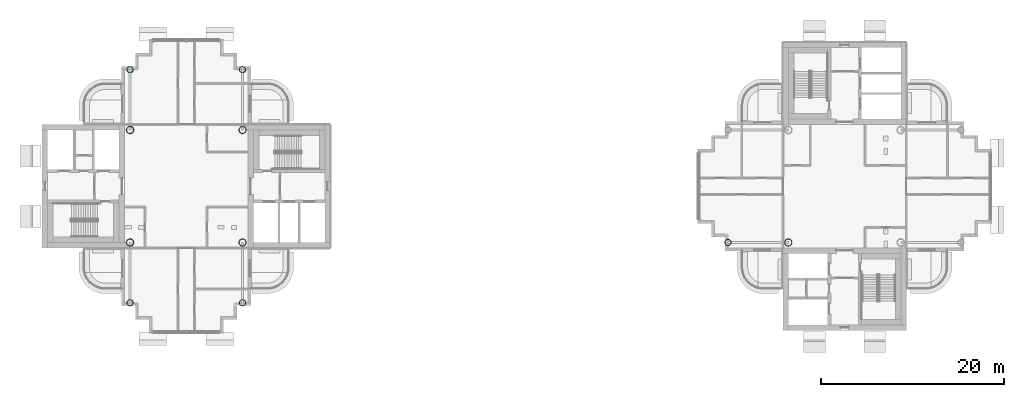
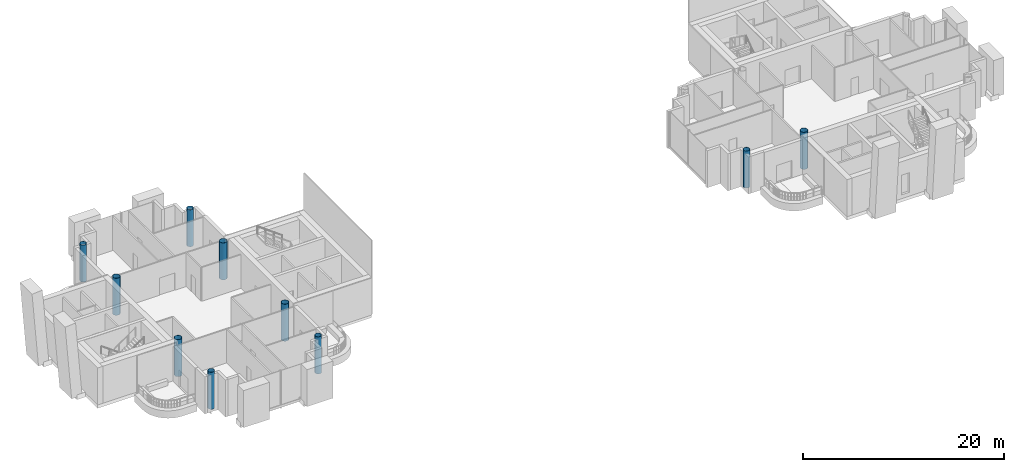
# One storey, part 1 of 20: 10 columns.
"""IFC4 building model written with IfcOpenShell, lengths in metres."""

from ifc_helpers import new_model, si_unit, direction, frame, origin, origin_2d, place, context, subcontext, project, spatial, hollow_circle, extrude, material, material_profile, profile_set, type_object, element, save


model = new_model("IFC4")

# Units and contexts
model_context = context("Model", 3, precision=1e-05, world=origin(), true_north=direction((0.0, 1.0)))
body_context = subcontext(model_context, "Body", "Model", "MODEL_VIEW")
ifc_project = project(units=[si_unit("LENGTHUNIT", "METRE"), si_unit("AREAUNIT", "SQUARE_METRE"), si_unit("VOLUMEUNIT", "CUBIC_METRE"), si_unit("PLANEANGLEUNIT", "RADIAN"), si_unit("MASSUNIT", "GRAM", prefix="KILO")], contexts=[model_context])

# Site, building, storey
site_placement = place(None, origin())
site = spatial("IfcSite", under=ifc_project, at=site_placement, CompositionType="ELEMENT")
building_placement = place(site_placement, origin())
building = spatial("IfcBuilding", under=site, at=building_placement, Name="Ipe Terrace Towers", CompositionType="ELEMENT")
storey_placement = place(building_placement, frame((0.0, 0.0, 242.39990234375)))
storey = spatial("IfcBuildingStorey", under=building, at=storey_placement, Name="L67", CompositionType="ELEMENT", Elevation=242.39990234375)

# Columns
ifc_material_1 = material(Name="Steel S355 tube with Concrete C60/75 fill", Category="concrete")
ifc_material_profile_1 = material_profile(ifc_material_1, hollow_circle(Radius=0.35009765625, WallThickness=0.02490234375, at=origin_2d()), Name="CHS-700x25")
ifc_profile_set_1 = profile_set([ifc_material_profile_1], Name="Steel S355 tube with Concrete C60/75 fill")
column_type_1 = type_object("IfcColumnType", Name="CH08 COLUMN CHS-700x25", PredefinedType="COLUMN", material=ifc_profile_set_1)
for number, where, z_axis, x_axis, name in (
    (1, (-29.85009765625, 12.75, 0.0), (0.0, 0.0, 1.0), (1.0, 0.0, 0.0), "Column T1-C-B01"),
    (2, (-42.14990234375, 12.75, 0.0), (0.0, 0.0, 1.0), (1.0, 0.0, 0.0), "Column T1-C-B02"),
    (3, (-42.14990234375, -12.75, 0.0), (0.0, 0.0, 1.0), (1.0, 0.0, 0.0), "Column T1-C-D01"),
    (4, (-29.85009765625, -12.75, 0.0), (0.0, 0.0, 1.0), (1.0, 0.0, 0.0), "Column T1-C-D02"),
    (5, (23.25, -6.14990234375, 0.0), (0.0, 0.0, 1.0), (1.0, 0.0, 0.0), "Column T2-C-B02"),
):
    element("IfcColumn", number, at=place(storey_placement, frame(where, z_axis=z_axis, x_axis=x_axis)), inside=storey, type_object=column_type_1, Name=name, PredefinedType="COLUMN", context=body_context, shape_type="SweptSolid", body=[
        extrude(hollow_circle(Radius=0.35009765625, WallThickness=0.02490234375, at=origin_2d()), origin(), (0.0, 0.0, 1.0), 4.5),
    ])
ifc_material_2 = material(Name="Steel S355 tube with Concrete C60/75 fill", Category="concrete")
ifc_material_profile_2 = material_profile(ifc_material_2, hollow_circle(Radius=0.39990234375, WallThickness=0.028076171875, at=origin_2d()), Name="CHS-800x28")
ifc_profile_set_2 = profile_set([ifc_material_profile_2], Name="Steel S355 tube with Concrete C60/75 fill")
column_type_2 = type_object("IfcColumnType", Name="CH09 COLUMN CHS-800x28", PredefinedType="COLUMN", material=ifc_profile_set_2)
for number, where, z_axis, x_axis, name in (
    (6, (-42.14990234375, -6.14990234375, 0.0), (0.0, 0.0, 1.0), (1.0, 0.0, 0.0), "Column T1-C-E01"),
    (7, (-29.85009765625, -6.14990234375, 0.0), (0.0, 0.0, 1.0), (1.0, 0.0, 0.0), "Column T1-C-E02"),
    (8, (-29.85009765625, 6.14990234375, 0.0), (0.0, 0.0, 1.0), (1.0, 0.0, 0.0), "Column T1-C-E03"),
    (9, (-42.14990234375, 6.14990234375, 0.0), (0.0, 0.0, 1.0), (1.0, 0.0, 0.0), "Column T1-C-E04"),
    (10, (29.85009765625, -6.14990234375, 0.0), (0.0, 0.0, 1.0), (1.0, 0.0, 0.0), "Column T2-C-E04"),
):
    element("IfcColumn", number, at=place(storey_placement, frame(where, z_axis=z_axis, x_axis=x_axis)), inside=storey, type_object=column_type_2, Name=name, PredefinedType="COLUMN", context=body_context, shape_type="SweptSolid", body=[
        extrude(hollow_circle(Radius=0.39990234375, WallThickness=0.028076171875, at=origin_2d()), origin(), (0.0, 0.0, 1.0), 4.5),
    ])

save(model, "model.ifc")
